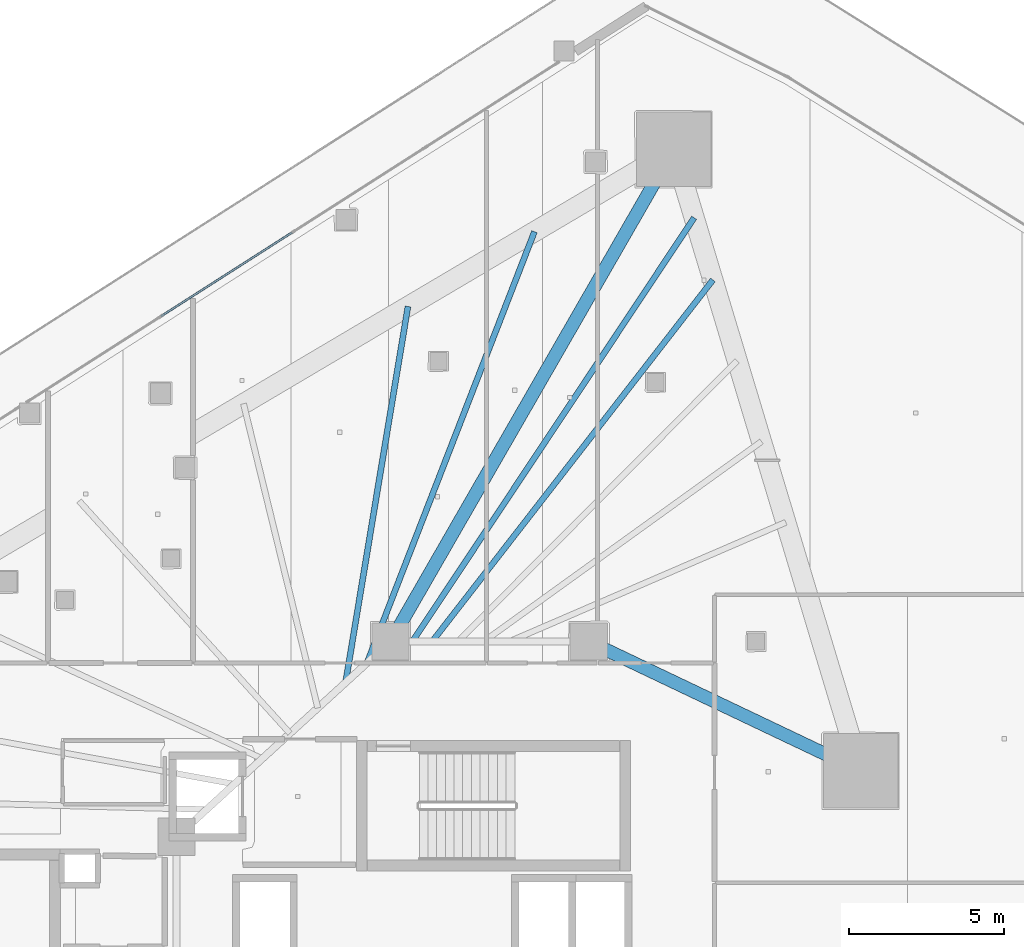
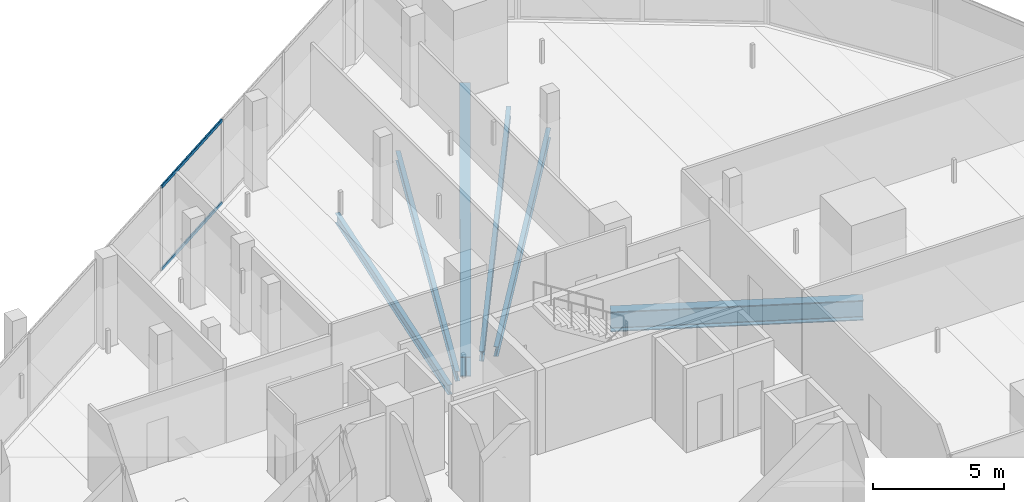
# One storey, part 21 of 46: 6 beams, 2 members, 1 element without a shape of its own.
"""IFC4 building model written with IfcOpenShell, lengths in metres."""

from ifc_helpers import new_model, si_unit, direction, frame, origin, origin_2d, place, context, subcontext, project, spatial, hollow_rectangle, i_section, extrude, material, layer, layer_set, material_profile, profile_set, type_object, element, aggregate, save


model = new_model("IFC4")

# Units and contexts
model_context = context("Model", 3, precision=1e-05, world=origin(), true_north=direction((0.0, 1.0)))
body_context = subcontext(model_context, "Body", "Model", "MODEL_VIEW")
ifc_project = project(units=[si_unit("LENGTHUNIT", "METRE"), si_unit("AREAUNIT", "SQUARE_METRE"), si_unit("VOLUMEUNIT", "CUBIC_METRE"), si_unit("PLANEANGLEUNIT", "RADIAN"), si_unit("MASSUNIT", "GRAM", prefix="KILO")], contexts=[model_context])

# Site, building, storey
site_placement = place(None, origin())
site = spatial("IfcSite", under=ifc_project, at=site_placement, CompositionType="ELEMENT")
building_placement = place(site_placement, origin())
building = spatial("IfcBuilding", under=site, at=building_placement, Name="Qorvath Tower", CompositionType="ELEMENT")
storey_placement = place(building_placement, frame((0.0, 0.0, 87.0)))
storey = spatial("IfcBuildingStorey", under=building, at=storey_placement, Name="L19", CompositionType="ELEMENT", Elevation=87.0)

# Beams
ifc_material_1 = material(Name="Steel ASTM A992 Grade 50", Category="steel")
ifc_material_profile_1 = material_profile(ifc_material_1, i_section(OverallWidth=0.422119140625, OverallDepth=0.93310546875, WebThickness=0.021240234375, FlangeThickness=0.039794921875, FilletRadius=0.02392578125, at=origin_2d()), Name="W36x262")
ifc_profile_set_1 = profile_set([ifc_material_profile_1], Name="Steel ASTM A992 Grade 50")
beam_type_1 = type_object("IfcBeamType", Name="BM-FG1", PredefinedType="BEAM", material=ifc_profile_set_1)
beam_1_placement = place(storey_placement, frame((-23.60009765625, 11.449951171875, -0.74658203125), z_axis=(0.498645367714, 0.866806089767, 0.0), x_axis=(-0.866806089767, 0.498645367714, 0.0)))
element("IfcBeam", 1, at=beam_1_placement, inside=storey, type_object=beam_type_1, Name="Radial Floor Girder CC1-MC6 L19", PredefinedType="BEAM", context=body_context, shape_type="SweptSolid", body=[
    extrude(i_section(OverallWidth=0.422119140625, OverallDepth=0.93310546875, WebThickness=0.021240234375, FlangeThickness=0.039794921875, FilletRadius=0.02392578125, at=origin_2d()), origin(), (0.0, 0.0, 1.0), 18.321044921875),
])
beam_2_placement = place(storey_placement, frame((-17.199951171875, 11.449951171875, -0.74658203125), z_axis=(0.902955751435, -0.429733534821, 0.0), x_axis=(0.429733534821, 0.902955751435, 0.0)))
element("IfcBeam", 2, at=beam_2_placement, inside=storey, type_object=beam_type_1, Name="Radial Floor Girder CC2-MC5 L19", PredefinedType="BEAM", context=body_context, shape_type="SweptSolid", body=[
    extrude(i_section(OverallWidth=0.422119140625, OverallDepth=0.93310546875, WebThickness=0.021240234375, FlangeThickness=0.039794921875, FilletRadius=0.02392578125, at=origin_2d()), origin(), (0.0, 0.0, 1.0), 9.7119140625),
])
ifc_material_2 = material(Name="Steel ASTM A992 Grade 50", Category="steel")
ifc_material_profile_2 = material_profile(ifc_material_2, i_section(OverallWidth=0.18994140625, OverallDepth=0.45703125, WebThickness=0.009033203125, FlangeThickness=0.014404296875, FilletRadius=0.011962890625, at=origin_2d()), Name="W18x50")
ifc_profile_set_2 = profile_set([ifc_material_profile_2], Name="Steel ASTM A992 Grade 50")
beam_type_2 = type_object("IfcBeamType", Name="BM-FJ2", PredefinedType="JOIST", material=ifc_profile_set_2)
beam_3_placement = place(storey_placement, frame((-22.256103515625, 11.449951171875, -0.508544921875), z_axis=(0.613206963859, 0.789922286984, 0.0), x_axis=(-0.789922286984, 0.613206963859, 0.0)))
element("IfcBeam", 3, at=beam_3_placement, inside=storey, type_object=beam_type_2, Name="Composite Floor Joist NE6 L19", PredefinedType="JOIST", context=body_context, shape_type="SweptSolid", body=[
    extrude(i_section(OverallWidth=0.18994140625, OverallDepth=0.45703125, WebThickness=0.009033203125, FlangeThickness=0.014404296875, FilletRadius=0.011962890625, at=origin_2d()), origin(), (0.0, 0.0, 1.0), 14.77294921875),
])
beam_4_placement = place(storey_placement, frame((-22.89599609375, 11.449951171875, -0.508544921875), z_axis=(0.553811384989, 0.83264214994, 0.0), x_axis=(-0.83264214994, 0.553811384989, 0.0)))
element("IfcBeam", 4, at=beam_4_placement, inside=storey, type_object=beam_type_2, Name="Composite Floor Joist NE7 L19", PredefinedType="JOIST", context=body_context, shape_type="SweptSolid", body=[
    extrude(i_section(OverallWidth=0.18994140625, OverallDepth=0.45703125, WebThickness=0.009033203125, FlangeThickness=0.014404296875, FilletRadius=0.011962890625, at=origin_2d()), origin(), (0.0, 0.0, 1.0), 16.42333984375),
])
beam_5_placement = place(storey_placement, frame((-25.049072265625, 10.126953125, -0.508544921875), z_axis=(0.163639384475, 0.98652022374, 0.0), x_axis=(-0.98652022374, 0.163639384475, 0.0)))
element("IfcBeam", 5, at=beam_5_placement, inside=storey, type_object=beam_type_2, Name="Composite Floor Joist NW6 L19", PredefinedType="JOIST", context=body_context, shape_type="SweptSolid", body=[
    extrude(i_section(OverallWidth=0.18994140625, OverallDepth=0.45703125, WebThickness=0.009033203125, FlangeThickness=0.014404296875, FilletRadius=0.011962890625, at=origin_2d()), origin(), (0.0, 0.0, 1.0), 12.301025390625),
])
beam_6_placement = place(storey_placement, frame((-24.35888671875, 10.757080078125, -0.508544921875), z_axis=(0.361964096586, 0.93219203643, 0.0), x_axis=(-0.93219203643, 0.361964096586, 0.0)))
element("IfcBeam", 6, at=beam_6_placement, inside=storey, type_object=beam_type_2, Name="Composite Floor Joist NW7 L19", PredefinedType="JOIST", context=body_context, shape_type="SweptSolid", body=[
    extrude(i_section(OverallWidth=0.18994140625, OverallDepth=0.45703125, WebThickness=0.009033203125, FlangeThickness=0.014404296875, FilletRadius=0.011962890625, at=origin_2d()), origin(), (0.0, 0.0, 1.0), 14.93115234375),
])

# Curtain wall, members
ifc_material_3 = material(Name="Anodised aluminium and triple low-E glass", Category="aluminium")
ifc_layer = layer(ifc_material_3, 0.179931640625)
ifc_layer_set = layer_set([ifc_layer], Name="CW-SYS-2")
curtain_wall_type = type_object("IfcCurtainWallType", Name="CW-SYS-2", PredefinedType="NOTDEFINED", material=ifc_layer_set)
curtain_wall_placement = place(storey_placement, origin())
curtain_wall = element("IfcCurtainWall", 7, at=curtain_wall_placement, inside=storey, type_object=curtain_wall_type, Name="Curtain Wall CW-2 CW-T-L19-16.2", PredefinedType="NOTDEFINED")
ifc_material_4 = material(Name="Anodised aluminium 6063-T6", Category="aluminium")
ifc_material_profile_3 = material_profile(ifc_material_4, hollow_rectangle(XDim=0.06494140625, YDim=0.159912109375, WallThickness=0.00341796875, InnerFilletRadius=0.00341796875, OuterFilletRadius=0.007080078125, at=origin_2d()), Name="CWT 160x65")
ifc_profile_set_3 = profile_set([ifc_material_profile_3], Name="Anodised aluminium 6063-T6")
member_type = type_object("IfcMemberType", Name="CWT-160", PredefinedType="USERDEFINED", material=ifc_profile_set_3)
member_1_placement = place(storey_placement, frame((-26.780029296875, 24.64697265625, 0.032470703125), z_axis=(-0.84262438771, -0.538501756019, 0.0), x_axis=(0.538501756019, -0.84262438771, 0.0)))
member_1 = element("IfcMember", 8, at=member_1_placement, type_object=member_type, Name="CW-2 transom 3.1", ObjectType="TRANSOM", PredefinedType="USERDEFINED", context=body_context, shape_type="SweptSolid", body=[
    extrude(hollow_rectangle(XDim=0.06494140625, YDim=0.159912109375, WallThickness=0.00341796875, InnerFilletRadius=0.00341796875, OuterFilletRadius=0.007080078125, at=origin_2d()), origin(), (0.0, 0.0, 1.0), 5.00927734375),
])
member_2_placement = place(storey_placement, frame((-26.780029296875, 24.64697265625, 3.887451171875), z_axis=(-0.84262438771, -0.538501756019, 0.0), x_axis=(0.538501756019, -0.84262438771, 0.0)))
member_2 = element("IfcMember", 9, at=member_2_placement, type_object=member_type, Name="CW-2 transom 3.2", ObjectType="TRANSOM", PredefinedType="USERDEFINED", context=body_context, shape_type="SweptSolid", body=[
    extrude(hollow_rectangle(XDim=0.06494140625, YDim=0.159912109375, WallThickness=0.00341796875, InnerFilletRadius=0.00341796875, OuterFilletRadius=0.007080078125, at=origin_2d()), origin(), (0.0, 0.0, 1.0), 5.00927734375),
])
aggregate(curtain_wall, [member_1, member_2])

save(model, "model.ifc")
